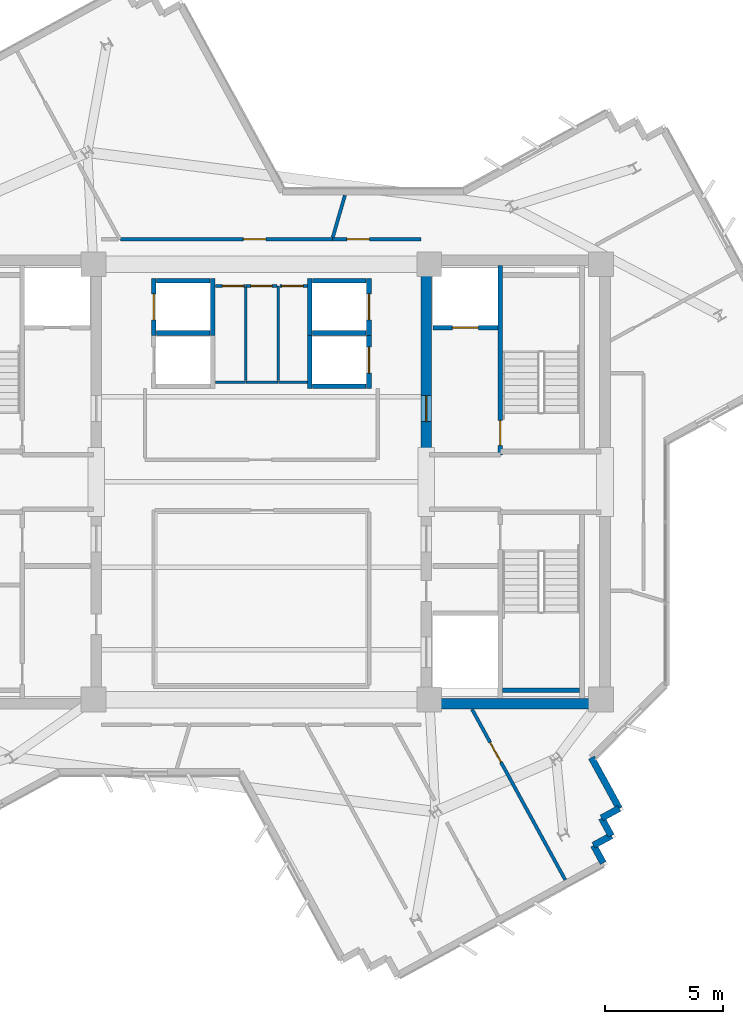
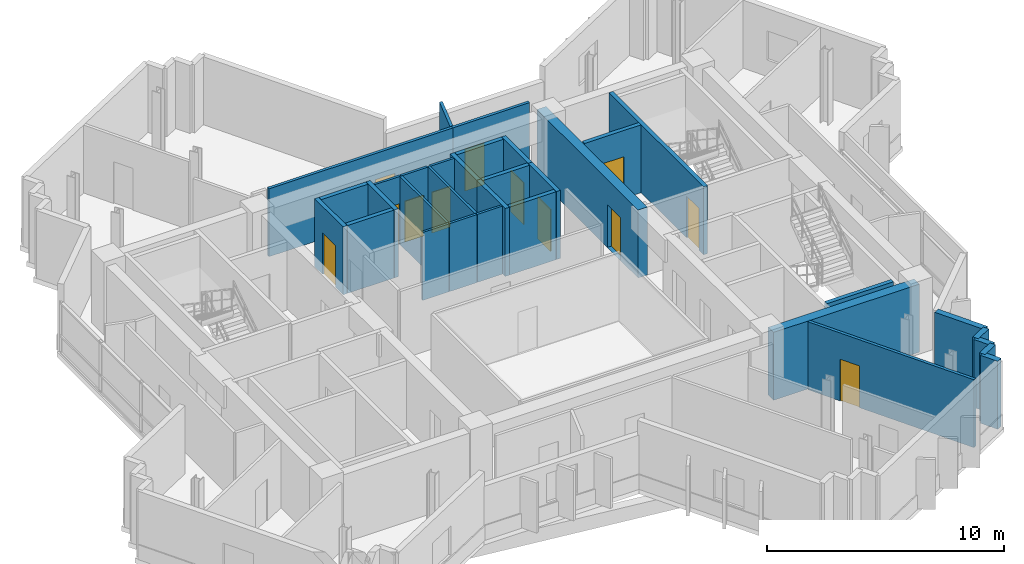
# One storey, part 7 of 13: 33 walls, 12 doors, 12 openings.
"""IFC4 building model written with IfcOpenShell, lengths in metres."""

from ifc_helpers import new_model, si_unit, direction, frame, frame_2d, origin, place, context, subcontext, project, spatial, rectangle, extrude, source, transform, mapped, material, layer, layer_set, type_object, element, fill, save


model = new_model("IFC4")

# Units and contexts
model_context = context("Model", 3, precision=1e-05, world=origin(), true_north=direction((0.0, 1.0)))
body_context = subcontext(model_context, "Body", "Model", "MODEL_VIEW")
ifc_project = project(units=[si_unit("LENGTHUNIT", "METRE"), si_unit("AREAUNIT", "SQUARE_METRE"), si_unit("VOLUMEUNIT", "CUBIC_METRE"), si_unit("PLANEANGLEUNIT", "RADIAN"), si_unit("MASSUNIT", "GRAM", prefix="KILO")], contexts=[model_context])

# Site, building, storey
site_placement = place(None, origin())
site = spatial("IfcSite", under=ifc_project, at=site_placement, CompositionType="ELEMENT")
building_placement = place(site_placement, origin())
building = spatial("IfcBuilding", under=site, at=building_placement, Name="Zahravan Cultural Tower", CompositionType="ELEMENT")
storey_placement = place(building_placement, frame((0.0, 0.0, 250.35009765625)))
storey = spatial("IfcBuildingStorey", under=building, at=storey_placement, Name="L59", CompositionType="ELEMENT", Elevation=250.35009765625)

# Wall, opening, door
ifc_material_1 = material(Name="Concrete C50/60", Category="concrete")
ifc_layer_1 = layer(ifc_material_1, 0.449951171875)
ifc_layer_set_1 = layer_set([ifc_layer_1], Name="Concrete C50/60")
wall_type_1 = type_object("IfcWallType", Name="CW-SHEAR-450-C50", PredefinedType="SHEAR", material=ifc_layer_set_1)
wall_1_placement = place(storey_placement, frame((42.97509765625, 28.050048828125, 0.0), z_axis=(0.0, 0.0, 1.0), x_axis=(0.0, 1.0, 0.0)))
wall_1 = element("IfcWall", 1, at=wall_1_placement, inside=storey, type_object=wall_type_1, Name="L59 Core Shear Wall CW-E-WN-L59", PredefinedType="SHEAR", context=body_context, shape_type="SweptSolid", body=[
    extrude(rectangle(XDim=8.550048828125, YDim=0.449951171875, at=frame_2d((4.27490234375, 0.0))), origin(), (0.0, 0.0, 1.0), 3.5),
])
opening_1_placement = place(wall_1_placement, frame((1.5, 0.0, 0.0)))
opening_1 = element("IfcOpeningElement", 2, at=opening_1_placement, cuts=wall_1, Name="Opening D-L59-07", PredefinedType="OPENING", context=body_context, shape_type="SweptSolid", body=[
    extrude(rectangle(XDim=1.10009765625, YDim=2.199951171875, at=frame_2d((0.550048828125, 1.10009765625))), frame((0.0, 0.23486328125, 0.0), z_axis=(0.0, -1.0, 0.0), x_axis=(1.0, 0.0, 0.0)), (0.0, 0.0, 1.0), 0.469970703125),
])
ifc_material_2 = material(Name="Steel ASTM A572 Grade 50", Category="steel")
door_type_1 = type_object("IfcDoorType", Name="DR-LOBBY-1100", OperationType="NOTDEFINED", PredefinedType="DOOR", material=ifc_material_2)
shared_shape_1 = source(origin(), body_context, "Body", "SweptSolid", [
    extrude(rectangle(XDim=1.10009765625, YDim=2.199951171875, at=frame_2d((0.550048828125, 1.10009765625))), frame((0.0, 0.02490234375, 0.0), z_axis=(0.0, -1.0, 0.0), x_axis=(1.0, 0.0, 0.0)), (0.0, 0.0, 1.0), 0.050048828125),
])
door_1_placement = place(opening_1_placement, origin())
door_1 = element("IfcDoor", 3, at=door_1_placement, inside=storey, type_object=door_type_1, Name="L59 Door D-L59-07", OperationType="SINGLE_SWING_LEFT", OverallHeight=2.199951171875, OverallWidth=1.10009765625, PredefinedType="DOOR", context=body_context, shape_type="MappedRepresentation", body=[
    mapped(shared_shape_1, transform((0.0, 0.0, 0.0), x_axis=(1.0, 0.0, 0.0), y_axis=(0.0, 1.0, 0.0), z_axis=(0.0, 0.0, 1.0), scale=1.0)),
])
fill(opening_1, door_1)

ifc_material_3 = material(Name="Gypsum plasterboard partition")
ifc_layer_2 = layer(ifc_material_3, 0.139892578125)
ifc_layer_set_2 = layer_set([ifc_layer_2], Name="Gypsum plasterboard partition")
wall_type_2 = type_object("IfcWallType", Name="W-PART-140", PredefinedType="PARTITIONING", material=ifc_layer_set_2)
wall_2_placement = place(storey_placement, frame((44.905517578125, 17.39501953125, 0.0), z_axis=(0.0, 0.0, 1.0), x_axis=(0.479449534835, -0.877569452264, 0.0)))
wall_2 = element("IfcWall", 4, at=wall_2_placement, inside=storey, type_object=wall_type_2, Name="L59 Interior Wall 053", PredefinedType="PARTITIONING", context=body_context, shape_type="SweptSolid", body=[
    extrude(rectangle(XDim=8.216064453125, YDim=0.139892578125, at=frame_2d((4.10791015625, 0.0))), origin(), (0.0, 0.0, 1.0), 3.5),
])
opening_2_placement = place(wall_2_placement, frame((1.5986328125, 0.0, 0.0)))
opening_2 = element("IfcOpeningElement", 5, at=opening_2_placement, cuts=wall_2, Name="Opening D-L59-28", PredefinedType="OPENING", context=body_context, shape_type="SweptSolid", body=[
    extrude(rectangle(XDim=0.949951171875, YDim=2.14990234375, at=frame_2d((0.47509765625, 1.074951171875))), frame((0.0, 0.079833984375, 0.0), z_axis=(0.0, -1.0, 0.0), x_axis=(1.0, 0.0, 0.0)), (0.0, 0.0, 1.0), 0.159912109375),
])
ifc_material_4 = material(Name="Anodised bronze-aluminium mullion", Category="aluminium")
door_type_2 = type_object("IfcDoorType", Name="DR-ROOM-950", OperationType="NOTDEFINED", PredefinedType="DOOR", material=ifc_material_4)
shared_shape_2 = source(origin(), body_context, "Body", "SweptSolid", [
    extrude(rectangle(XDim=0.949951171875, YDim=2.14990234375, at=frame_2d((0.47509765625, 1.074951171875))), frame((0.0, 0.02490234375, 0.0), z_axis=(0.0, -1.0, 0.0), x_axis=(1.0, 0.0, 0.0)), (0.0, 0.0, 1.0), 0.050048828125),
])
door_2_placement = place(opening_2_placement, origin())
door_2 = element("IfcDoor", 6, at=door_2_placement, inside=storey, type_object=door_type_2, Name="L59 Door D-L59-28", OperationType="SINGLE_SWING_RIGHT", OverallHeight=2.14990234375, OverallWidth=0.949951171875, PredefinedType="DOOR", context=body_context, shape_type="MappedRepresentation", body=[
    mapped(shared_shape_2, transform((0.0, 0.0, 0.0), x_axis=(1.0, 0.0, 0.0), y_axis=(0.0, 1.0, 0.0), z_axis=(0.0, 0.0, 1.0), scale=1.0)),
])
fill(opening_2, door_2)

wall_3_placement = place(storey_placement, frame((42.74658203125, 37.2587890625, 0.0), z_axis=(0.0, 0.0, 1.0), x_axis=(-0.99999994699, 0.000325605609, 0.0)))
wall_3 = element("IfcWall", 7, at=wall_3_placement, inside=storey, type_object=wall_type_2, Name="L59 Interior Wall 074", PredefinedType="PARTITIONING", context=body_context, shape_type="SweptSolid", body=[
    extrude(rectangle(XDim=3.7490234375, YDim=0.139892578125, at=frame_2d((1.87451171875, 0.0))), origin(), (0.0, 0.0, 1.0), 3.5),
])
opening_3_placement = place(wall_3_placement, frame((2.183349609375, 0.0, 0.0)))
opening_3 = element("IfcOpeningElement", 8, at=opening_3_placement, cuts=wall_3, Name="Opening D-L59-18", PredefinedType="OPENING", context=body_context, shape_type="SweptSolid", body=[
    extrude(rectangle(XDim=0.949951171875, YDim=2.14990234375, at=frame_2d((0.47509765625, 1.074951171875))), frame((0.0, 0.079833984375, 0.0), z_axis=(0.0, -1.0, 0.0), x_axis=(1.0, 0.0, 0.0)), (0.0, 0.0, 1.0), 0.159912109375),
])
door_3_placement = place(opening_3_placement, origin())
door_3 = element("IfcDoor", 9, at=door_3_placement, inside=storey, type_object=door_type_2, Name="L59 Door D-L59-18", OperationType="SINGLE_SWING_RIGHT", OverallHeight=2.14990234375, OverallWidth=0.949951171875, PredefinedType="DOOR", context=body_context, shape_type="MappedRepresentation", body=[
    mapped(shared_shape_2, transform((0.0, 0.0, 0.0), x_axis=(1.0, 0.0, 0.0), y_axis=(0.0, 1.0, 0.0), z_axis=(0.0, 0.0, 1.0), scale=1.0)),
])
fill(opening_3, door_3)

wall_4_placement = place(storey_placement, frame((38.99755859375, 37.260009765625, 0.0), z_axis=(0.0, 0.0, 1.0), x_axis=(-1.0, 0.0, 0.0)))
wall_4 = element("IfcWall", 10, at=wall_4_placement, inside=storey, type_object=wall_type_2, Name="L59 Interior Wall 085", PredefinedType="PARTITIONING", context=body_context, shape_type="SweptSolid", body=[
    extrude(rectangle(XDim=8.956298828125, YDim=0.139892578125, at=frame_2d((4.47802734375, 0.0))), origin(), (0.0, 0.0, 1.0), 3.5),
])
opening_4_placement = place(wall_4_placement, frame((2.80224609375, 0.0, 0.0)))
opening_4 = element("IfcOpeningElement", 11, at=opening_4_placement, cuts=wall_4, Name="Opening D-L59-19", PredefinedType="OPENING", context=body_context, shape_type="SweptSolid", body=[
    extrude(rectangle(XDim=0.949951171875, YDim=2.14990234375, at=frame_2d((0.47509765625, 1.074951171875))), frame((0.0, 0.079833984375, 0.0), z_axis=(0.0, -1.0, 0.0), x_axis=(1.0, 0.0, 0.0)), (0.0, 0.0, 1.0), 0.159912109375),
])
door_4_placement = place(opening_4_placement, origin())
door_4 = element("IfcDoor", 12, at=door_4_placement, inside=storey, type_object=door_type_2, Name="L59 Door D-L59-19", OperationType="SINGLE_SWING_LEFT", OverallHeight=2.14990234375, OverallWidth=0.949951171875, PredefinedType="DOOR", context=body_context, shape_type="MappedRepresentation", body=[
    mapped(shared_shape_2, transform((0.0, 0.0, 0.0), x_axis=(1.0, 0.0, 0.0), y_axis=(0.0, 1.0, 0.0), z_axis=(0.0, 0.0, 1.0), scale=1.0)),
])
fill(opening_4, door_4)

ifc_material_5 = material(Name="Concrete C45/55", Category="concrete")
ifc_layer_3 = layer(ifc_material_5, 0.199951171875)
ifc_layer_set_3 = layer_set([ifc_layer_3], Name="Concrete C45/55")
wall_type_3 = type_object("IfcWallType", Name="W-SHAFT-200", PredefinedType="SOLIDWALL", material=ifc_layer_set_3)
wall_5_placement = place(storey_placement, frame((46.10009765625, 28.14990234375, 0.0), z_axis=(0.0, 0.0, 1.0), x_axis=(0.0, 1.0, 0.0)))
wall_5 = element("IfcWall", 13, at=wall_5_placement, inside=storey, type_object=wall_type_3, Name="L59 Interior Wall 008", PredefinedType="SOLIDWALL", context=body_context, shape_type="SweptSolid", body=[
    extrude(rectangle(XDim=8.0, YDim=0.199951171875, at=frame_2d((4.0, 0.0))), origin(), (0.0, 0.0, 1.0), 3.5),
])
opening_5_placement = place(wall_5_placement, frame((0.39990234375, 0.0, 0.0)))
opening_5 = element("IfcOpeningElement", 14, at=opening_5_placement, cuts=wall_5, Name="Opening D-L59-02", PredefinedType="OPENING", context=body_context, shape_type="SweptSolid", body=[
    extrude(rectangle(XDim=1.050048828125, YDim=2.14990234375, at=frame_2d((0.52490234375, 1.074951171875))), frame((0.0, 0.10986328125, 0.0), z_axis=(0.0, -1.0, 0.0), x_axis=(1.0, 0.0, 0.0)), (0.0, 0.0, 1.0), 0.219970703125),
])
door_type_3 = type_object("IfcDoorType", Name="DR-STAIR-1050", OperationType="NOTDEFINED", PredefinedType="DOOR", material=ifc_material_2)
shared_shape_3 = source(origin(), body_context, "Body", "SweptSolid", [
    extrude(rectangle(XDim=1.050048828125, YDim=2.14990234375, at=frame_2d((0.52490234375, 1.074951171875))), frame((0.0, 0.02490234375, 0.0), z_axis=(0.0, -1.0, 0.0), x_axis=(1.0, 0.0, 0.0)), (0.0, 0.0, 1.0), 0.050048828125),
])
door_5_placement = place(opening_5_placement, origin())
door_5 = element("IfcDoor", 15, at=door_5_placement, inside=storey, type_object=door_type_3, Name="L59 Door D-L59-02", OperationType="SINGLE_SWING_RIGHT", OverallHeight=2.14990234375, OverallWidth=1.050048828125, PredefinedType="DOOR", context=body_context, shape_type="MappedRepresentation", body=[
    mapped(shared_shape_3, transform((0.0, 0.0, 0.0), x_axis=(1.0, 0.0, 0.0), y_axis=(0.0, 1.0, 0.0), z_axis=(0.0, 0.0, 1.0), scale=1.0)),
])
fill(opening_5, door_5)

wall_6_placement = place(storey_placement, frame((43.25, 33.52001953125, 0.0), z_axis=(0.0, 0.0, 1.0), x_axis=(1.0, 0.0, 0.0)))
wall_6 = element("IfcWall", 16, at=wall_6_placement, inside=storey, type_object=wall_type_3, Name="L59 Interior Wall 023", PredefinedType="SOLIDWALL", context=body_context, shape_type="SweptSolid", body=[
    extrude(rectangle(XDim=2.75, YDim=0.199951171875, at=frame_2d((1.375, 0.0))), origin(), (0.0, 0.0, 1.0), 3.5),
])
opening_6_placement = place(wall_6_placement, frame((0.820068359375, 0.0, 0.0)))
opening_6 = element("IfcOpeningElement", 17, at=opening_6_placement, cuts=wall_6, Name="Opening LD-L59-02", PredefinedType="OPENING", context=body_context, shape_type="SweptSolid", body=[
    extrude(rectangle(XDim=1.10009765625, YDim=2.14990234375, at=frame_2d((0.550048828125, 1.074951171875))), frame((0.0, 0.10986328125, 0.0), z_axis=(0.0, -1.0, 0.0), x_axis=(1.0, 0.0, 0.0)), (0.0, 0.0, 1.0), 0.219970703125),
])
door_type_4 = type_object("IfcDoorType", Name="DR-LIFT-1100", OperationType="DOUBLE_DOOR_SLIDING", PredefinedType="DOOR", material=ifc_material_2)
shared_shape_4 = source(origin(), body_context, "Body", "SweptSolid", [
    extrude(rectangle(XDim=1.10009765625, YDim=2.14990234375, at=frame_2d((0.550048828125, 1.074951171875))), frame((0.0, 0.02490234375, 0.0), z_axis=(0.0, -1.0, 0.0), x_axis=(1.0, 0.0, 0.0)), (0.0, 0.0, 1.0), 0.050048828125),
])
door_6_placement = place(opening_6_placement, origin())
door_6 = element("IfcDoor", 18, at=door_6_placement, inside=storey, type_object=door_type_4, Name="L59 Door LD-L59-02", OperationType="DOUBLE_DOOR_SLIDING", OverallHeight=2.14990234375, OverallWidth=1.10009765625, PredefinedType="DOOR", context=body_context, shape_type="MappedRepresentation", body=[
    mapped(shared_shape_4, transform((0.0, 0.0, 0.0), x_axis=(1.0, 0.0, 0.0), y_axis=(0.0, 1.0, 0.0), z_axis=(0.0, 0.0, 1.0), scale=1.0)),
])
fill(opening_6, door_6)

wall_7_placement = place(storey_placement, frame((31.449951171875, 33.199951171875, 0.0), z_axis=(0.0, 0.0, 1.0), x_axis=(0.0, 1.0, 0.0)))
wall_7 = element("IfcWall", 19, at=wall_7_placement, inside=storey, type_object=wall_type_3, Name="L59 Interior Wall 027", PredefinedType="SOLIDWALL", context=body_context, shape_type="SweptSolid", body=[
    extrude(rectangle(XDim=2.400146484375, YDim=0.199951171875, at=frame_2d((1.2001953125, 0.0))), origin(), (0.0, 0.0, 1.0), 3.5),
])
opening_7_placement = place(wall_7_placement, frame((0.64990234375, 0.0, 0.0)))
opening_7 = element("IfcOpeningElement", 20, at=opening_7_placement, cuts=wall_7, Name="Opening LD-L59-04", PredefinedType="OPENING", context=body_context, shape_type="SweptSolid", body=[
    extrude(rectangle(XDim=1.10009765625, YDim=2.14990234375, at=frame_2d((0.550048828125, 1.074951171875))), frame((0.0, 0.10986328125, 0.0), z_axis=(0.0, -1.0, 0.0), x_axis=(1.0, 0.0, 0.0)), (0.0, 0.0, 1.0), 0.219970703125),
])
door_7_placement = place(opening_7_placement, origin())
door_7 = element("IfcDoor", 21, at=door_7_placement, inside=storey, type_object=door_type_4, Name="L59 Door LD-L59-04", OperationType="DOUBLE_DOOR_SLIDING", OverallHeight=2.14990234375, OverallWidth=1.10009765625, PredefinedType="DOOR", context=body_context, shape_type="MappedRepresentation", body=[
    mapped(shared_shape_4, transform((0.0, 0.0, 0.0), x_axis=(1.0, 0.0, 0.0), y_axis=(0.0, 1.0, 0.0), z_axis=(0.0, 0.0, 1.0), scale=1.0)),
])
fill(opening_7, door_7)

wall_8_placement = place(storey_placement, frame((40.550048828125, 33.199951171875, 0.0), z_axis=(0.0, 0.0, 1.0), x_axis=(0.0, 1.0, 0.0)))
wall_8 = element("IfcWall", 22, at=wall_8_placement, inside=storey, type_object=wall_type_3, Name="L59 Interior Wall 035", PredefinedType="SOLIDWALL", context=body_context, shape_type="SweptSolid", body=[
    extrude(rectangle(XDim=2.400146484375, YDim=0.199951171875, at=frame_2d((1.2001953125, 0.0))), origin(), (0.0, 0.0, 1.0), 3.5),
])
opening_8_placement = place(wall_8_placement, frame((0.64990234375, 0.0, 0.0)))
opening_8 = element("IfcOpeningElement", 23, at=opening_8_placement, cuts=wall_8, Name="Opening LD-L59-06", PredefinedType="OPENING", context=body_context, shape_type="SweptSolid", body=[
    extrude(rectangle(XDim=1.10009765625, YDim=2.14990234375, at=frame_2d((0.550048828125, 1.074951171875))), frame((0.0, 0.10986328125, 0.0), z_axis=(0.0, -1.0, 0.0), x_axis=(1.0, 0.0, 0.0)), (0.0, 0.0, 1.0), 0.219970703125),
])
door_8_placement = place(opening_8_placement, origin())
door_8 = element("IfcDoor", 24, at=door_8_placement, inside=storey, type_object=door_type_4, Name="L59 Door LD-L59-06", OperationType="DOUBLE_DOOR_SLIDING", OverallHeight=2.14990234375, OverallWidth=1.10009765625, PredefinedType="DOOR", context=body_context, shape_type="MappedRepresentation", body=[
    mapped(shared_shape_4, transform((0.0, 0.0, 0.0), x_axis=(1.0, 0.0, 0.0), y_axis=(0.0, 1.0, 0.0), z_axis=(0.0, 0.0, 1.0), scale=1.0)),
])
fill(opening_8, door_8)

wall_9_placement = place(storey_placement, frame((40.550048828125, 30.949951171875, 0.0), z_axis=(0.0, 0.0, 1.0), x_axis=(0.0, 1.0, 0.0)))
wall_9 = element("IfcWall", 25, at=wall_9_placement, inside=storey, type_object=wall_type_3, Name="L59 Interior Wall 039", PredefinedType="SOLIDWALL", context=body_context, shape_type="SweptSolid", body=[
    extrude(rectangle(XDim=2.400146484375, YDim=0.199951171875, at=frame_2d((1.2001953125, 0.0))), origin(), (0.0, 0.0, 1.0), 3.5),
])
opening_9_placement = place(wall_9_placement, frame((0.64990234375, 0.0, 0.0)))
opening_9 = element("IfcOpeningElement", 26, at=opening_9_placement, cuts=wall_9, Name="Opening LD-L59-07", PredefinedType="OPENING", context=body_context, shape_type="SweptSolid", body=[
    extrude(rectangle(XDim=1.10009765625, YDim=2.14990234375, at=frame_2d((0.550048828125, 1.074951171875))), frame((0.0, 0.10986328125, 0.0), z_axis=(0.0, -1.0, 0.0), x_axis=(1.0, 0.0, 0.0)), (0.0, 0.0, 1.0), 0.219970703125),
])
door_9_placement = place(opening_9_placement, origin())
door_9 = element("IfcDoor", 27, at=door_9_placement, inside=storey, type_object=door_type_4, Name="L59 Door LD-L59-07", OperationType="DOUBLE_DOOR_SLIDING", OverallHeight=2.14990234375, OverallWidth=1.10009765625, PredefinedType="DOOR", context=body_context, shape_type="MappedRepresentation", body=[
    mapped(shared_shape_4, transform((0.0, 0.0, 0.0), x_axis=(1.0, 0.0, 0.0), y_axis=(0.0, 1.0, 0.0), z_axis=(0.0, 0.0, 1.0), scale=1.0)),
])
fill(opening_9, door_9)

ifc_layer_4 = layer(ifc_material_3, 0.114990234375)
ifc_layer_set_4 = layer_set([ifc_layer_4], Name="Gypsum plasterboard partition")
wall_type_4 = type_object("IfcWallType", Name="W-WC-115", PredefinedType="PARTITIONING", material=ifc_layer_set_4)
wall_10_placement = place(storey_placement, frame((36.782470703125, 35.280029296875, 0.0), z_axis=(0.0, 0.0, 1.0), x_axis=(1.0, 0.0, 0.0)))
wall_10 = element("IfcWall", 28, at=wall_10_placement, inside=storey, type_object=wall_type_4, Name="L59 Interior Wall 043", PredefinedType="PARTITIONING", context=body_context, shape_type="SweptSolid", body=[
    extrude(rectangle(XDim=1.16259765625, YDim=0.114990234375, at=frame_2d((0.581298828125, 0.0))), origin(), (0.0, 0.0, 1.0), 3.5),
])
opening_10_placement = place(wall_10_placement, frame((0.0888671875, 0.0, 0.0)))
opening_10 = element("IfcOpeningElement", 29, at=opening_10_placement, cuts=wall_10, Name="Opening D-L59-15", PredefinedType="OPENING", context=body_context, shape_type="SweptSolid", body=[
    extrude(rectangle(XDim=0.89990234375, YDim=2.10009765625, at=frame_2d((0.449951171875, 1.050048828125))), frame((0.0, 0.0673828125, 0.0), z_axis=(0.0, -1.0, 0.0), x_axis=(1.0, 0.0, 0.0)), (0.0, 0.0, 1.0), 0.135009765625),
])
door_type_5 = type_object("IfcDoorType", Name="DR-WC-900", OperationType="NOTDEFINED", PredefinedType="DOOR", material=ifc_material_4)
shared_shape_5 = source(origin(), body_context, "Body", "SweptSolid", [
    extrude(rectangle(XDim=0.89990234375, YDim=2.10009765625, at=frame_2d((0.449951171875, 1.050048828125))), frame((0.0, 0.02490234375, 0.0), z_axis=(0.0, -1.0, 0.0), x_axis=(1.0, 0.0, 0.0)), (0.0, 0.0, 1.0), 0.050048828125),
])
door_10_placement = place(opening_10_placement, origin())
door_10 = element("IfcDoor", 30, at=door_10_placement, inside=storey, type_object=door_type_5, Name="L59 Door D-L59-15", OperationType="SINGLE_SWING_LEFT", OverallHeight=2.10009765625, OverallWidth=0.89990234375, PredefinedType="DOOR", context=body_context, shape_type="MappedRepresentation", body=[
    mapped(shared_shape_5, transform((0.0, 0.0, 0.0), x_axis=(1.0, 0.0, 0.0), y_axis=(0.0, 1.0, 0.0), z_axis=(0.0, 0.0, 1.0), scale=1.0)),
])
fill(opening_10, door_10)

wall_11_placement = place(storey_placement, frame((34.054931640625, 35.280029296875, 0.0), z_axis=(0.0, 0.0, 1.0), x_axis=(1.0, 0.0, 0.0)))
wall_11 = element("IfcWall", 31, at=wall_11_placement, inside=storey, type_object=wall_type_4, Name="L59 Interior Wall 045", PredefinedType="PARTITIONING", context=body_context, shape_type="SweptSolid", body=[
    extrude(rectangle(XDim=1.28515625, YDim=0.114990234375, at=frame_2d((0.642578125, 0.0))), origin(), (0.0, 0.0, 1.0), 3.5),
])
opening_11_placement = place(wall_11_placement, frame((0.30029296875, 0.0, 0.0)))
opening_11 = element("IfcOpeningElement", 32, at=opening_11_placement, cuts=wall_11, Name="Opening D-L59-13", PredefinedType="OPENING", context=body_context, shape_type="SweptSolid", body=[
    extrude(rectangle(XDim=0.89990234375, YDim=2.10009765625, at=frame_2d((0.449951171875, 1.050048828125))), frame((0.0, 0.0673828125, 0.0), z_axis=(0.0, -1.0, 0.0), x_axis=(1.0, 0.0, 0.0)), (0.0, 0.0, 1.0), 0.135009765625),
])
door_11_placement = place(opening_11_placement, origin())
door_11 = element("IfcDoor", 33, at=door_11_placement, inside=storey, type_object=door_type_5, Name="L59 Door D-L59-13", OperationType="SINGLE_SWING_LEFT", OverallHeight=2.10009765625, OverallWidth=0.89990234375, PredefinedType="DOOR", context=body_context, shape_type="MappedRepresentation", body=[
    mapped(shared_shape_5, transform((0.0, 0.0, 0.0), x_axis=(1.0, 0.0, 0.0), y_axis=(0.0, 1.0, 0.0), z_axis=(0.0, 0.0, 1.0), scale=1.0)),
])
fill(opening_11, door_11)

wall_12_placement = place(storey_placement, frame((35.360107421875, 35.280029296875, 0.0), z_axis=(0.0, 0.0, 1.0), x_axis=(1.0, 0.0, 0.0)))
wall_12 = element("IfcWall", 34, at=wall_12_placement, inside=storey, type_object=wall_type_4, Name="L59 Interior Wall 048", PredefinedType="PARTITIONING", context=body_context, shape_type="SweptSolid", body=[
    extrude(rectangle(XDim=1.29736328125, YDim=0.114990234375, at=frame_2d((0.648681640625, 0.0))), origin(), (0.0, 0.0, 1.0), 3.5),
])
opening_12_placement = place(wall_12_placement, frame((0.19873046875, 0.0, 0.0)))
opening_12 = element("IfcOpeningElement", 35, at=opening_12_placement, cuts=wall_12, Name="Opening D-L59-14", PredefinedType="OPENING", context=body_context, shape_type="SweptSolid", body=[
    extrude(rectangle(XDim=0.89990234375, YDim=2.10009765625, at=frame_2d((0.449951171875, 1.050048828125))), frame((0.0, 0.0673828125, 0.0), z_axis=(0.0, -1.0, 0.0), x_axis=(1.0, 0.0, 0.0)), (0.0, 0.0, 1.0), 0.135009765625),
])
door_12_placement = place(opening_12_placement, origin())
door_12 = element("IfcDoor", 36, at=door_12_placement, inside=storey, type_object=door_type_5, Name="L59 Door D-L59-14", OperationType="SINGLE_SWING_RIGHT", OverallHeight=2.10009765625, OverallWidth=0.89990234375, PredefinedType="DOOR", context=body_context, shape_type="MappedRepresentation", body=[
    mapped(shared_shape_5, transform((0.0, 0.0, 0.0), x_axis=(1.0, 0.0, 0.0), y_axis=(0.0, 1.0, 0.0), z_axis=(0.0, 0.0, 1.0), scale=1.0)),
])
fill(opening_12, door_12)

# Walls
shared_shape_6 = source(origin(), body_context, "Body", "SweptSolid", [
    extrude(rectangle(XDim=7.10009765625, YDim=0.449951171875, at=frame_2d((3.550048828125, 0.0))), origin(), (0.0, 0.0, 1.0), 3.5),
])
wall_13_placement = place(storey_placement, frame((43.199951171875, 17.625, 0.0), z_axis=(0.0, 0.0, 1.0), x_axis=(1.0, 0.0, 0.0)))
element("IfcWall", 37, at=wall_13_placement, inside=storey, type_object=wall_type_1, Name="L59 Core Shear Wall CW-E-S-L59", PredefinedType="SHEAR", context=body_context, shape_type="MappedRepresentation", body=[
    mapped(shared_shape_6, transform((0.0, 0.0, 0.0), x_axis=(1.0, 0.0, 0.0), y_axis=(0.0, 1.0, 0.0), z_axis=(0.0, 0.0, 1.0), scale=1.0)),
])
ifc_material_6 = material(Name="Precast concrete C40/50", Category="concrete")
ifc_layer_5 = layer(ifc_material_6, 0.280029296875)
ifc_layer_set_5 = layer_set([ifc_layer_5], Name="Precast concrete C40/50")
wall_type_5 = type_object("IfcWallType", Name="EW-TC-280", PredefinedType="SOLIDWALL", material=ifc_layer_set_5)
shared_shape_7 = source(origin(), body_context, "Body", "SweptSolid", [
    extrude(rectangle(XDim=0.85009765625, YDim=0.280029296875, at=frame_2d((0.425048828125, 0.0))), origin(), (0.0, 0.0, 1.0), 3.5),
])
for number, where, z_axis, x_axis, name in (
    (38, (50.380859375, 12.7958984375, 0.0), (0.0, 0.0, 1.0), (0.479656876283, -0.877456141943, 0.0), "L59 Exterior Masonry Frame Wall 15"),
    (39, (50.78857421875, 12.050048828125, 0.0), (0.0, 0.0, 1.0), (-0.877643019177, -0.479314855696, 0.0), "L59 Exterior Masonry Frame Wall 16"),
):
    element("IfcWall", number, at=place(storey_placement, frame(where, z_axis=z_axis, x_axis=x_axis)), inside=storey, type_object=wall_type_5, Name=name, PredefinedType="SOLIDWALL", context=body_context, shape_type="MappedRepresentation", body=[
        mapped(shared_shape_7, transform((0.0, 0.0, 0.0), x_axis=(1.0, 0.0, 0.0), y_axis=(0.0, 1.0, 0.0), z_axis=(0.0, 0.0, 1.0), scale=1.0)),
    ])
shared_shape_8 = source(origin(), body_context, "Body", "SweptSolid", [
    extrude(rectangle(XDim=0.850341796875, YDim=0.280029296875, at=frame_2d((0.42529296875, 0.0))), origin(), (0.0, 0.0, 1.0), 3.5),
])
for number, where, z_axis, x_axis, name in (
    (40, (51.126953125, 13.20361328125, 0.0), (0.0, 0.0, 1.0), (-0.87752219781, -0.479536017782, 0.0), "L59 Exterior Masonry Frame Wall 14"),
    (41, (50.04248046875, 11.642578125, 0.0), (0.0, 0.0, 1.0), (0.479536017782, -0.87752219781, 0.0), "L59 Exterior Masonry Frame Wall 17"),
):
    element("IfcWall", number, at=place(storey_placement, frame(where, z_axis=z_axis, x_axis=x_axis)), inside=storey, type_object=wall_type_5, Name=name, PredefinedType="SOLIDWALL", context=body_context, shape_type="MappedRepresentation", body=[
        mapped(shared_shape_8, transform((0.0, 0.0, 0.0), x_axis=(1.0, 0.0, 0.0), y_axis=(0.0, 1.0, 0.0), z_axis=(0.0, 0.0, 1.0), scale=1.0)),
    ])
shared_shape_9 = source(origin(), body_context, "Body", "SweptSolid", [
    extrude(rectangle(XDim=2.447509765625, YDim=0.280029296875, at=frame_2d((1.2236328125, 0.0))), origin(), (0.0, 0.0, 1.0), 3.5),
])
wall_14_placement = place(storey_placement, frame((49.953369140625, 15.351318359375, 0.0), z_axis=(0.0, 0.0, 1.0), x_axis=(0.47951595933, -0.877533158774, 0.0)))
element("IfcWall", 42, at=wall_14_placement, inside=storey, type_object=wall_type_5, Name="L59 Exterior Masonry Frame Wall 13", PredefinedType="SOLIDWALL", context=body_context, shape_type="MappedRepresentation", body=[
    mapped(shared_shape_9, transform((0.0, 0.0, 0.0), x_axis=(1.0, 0.0, 0.0), y_axis=(0.0, 1.0, 0.0), z_axis=(0.0, 0.0, 1.0), scale=1.0)),
])
shared_shape_10 = source(origin(), body_context, "Body", "SweptSolid", [
    extrude(rectangle(XDim=3.25, YDim=0.199951171875, at=frame_2d((1.625, 0.0))), origin(), (0.0, 0.0, 1.0), 3.5),
])
wall_15_placement = place(storey_placement, frame((46.199951171875, 18.199951171875, 0.0), z_axis=(0.0, 0.0, 1.0), x_axis=(1.0, 0.0, 0.0)))
element("IfcWall", 43, at=wall_15_placement, inside=storey, type_object=wall_type_3, Name="L59 Interior Wall 020", PredefinedType="SOLIDWALL", context=body_context, shape_type="MappedRepresentation", body=[
    mapped(shared_shape_10, transform((0.0, 0.0, 0.0), x_axis=(1.0, 0.0, 0.0), y_axis=(0.0, 1.0, 0.0), z_axis=(0.0, 0.0, 1.0), scale=1.0)),
])
shared_shape_11 = source(origin(), body_context, "Body", "SweptSolid", [
    extrude(rectangle(XDim=2.400146484375, YDim=0.199951171875, at=frame_2d((1.2001953125, 0.0))), origin(), (0.0, 0.0, 1.0), 3.5),
])
for number, where, z_axis, x_axis, name in (
    (44, (33.949951171875, 33.199951171875, 0.0), (0.0, 0.0, 1.0), (0.0, 1.0, 0.0), "L59 Interior Wall 028"),
    (45, (38.050048828125, 33.199951171875, 0.0), (0.0, 0.0, 1.0), (0.0, 1.0, 0.0), "L59 Interior Wall 034"),
    (46, (38.050048828125, 30.949951171875, 0.0), (0.0, 0.0, 1.0), (0.0, 1.0, 0.0), "L59 Interior Wall 038"),
):
    element("IfcWall", number, at=place(storey_placement, frame(where, z_axis=z_axis, x_axis=x_axis)), inside=storey, type_object=wall_type_3, Name=name, PredefinedType="SOLIDWALL", context=body_context, shape_type="MappedRepresentation", body=[
        mapped(shared_shape_11, transform((0.0, 0.0, 0.0), x_axis=(1.0, 0.0, 0.0), y_axis=(0.0, 1.0, 0.0), z_axis=(0.0, 0.0, 1.0), scale=1.0)),
    ])
shared_shape_12 = source(origin(), body_context, "Body", "SweptSolid", [
    extrude(rectangle(XDim=2.260009765625, YDim=0.199951171875, at=frame_2d((1.1298828125, 0.0))), origin(), (0.0, 0.0, 1.0), 3.5),
])
for number, where, z_axis, x_axis, name in (
    (47, (31.570068359375, 33.300048828125, 0.0), (0.0, 0.0, 1.0), (1.0, 0.0, 0.0), "L59 Interior Wall 029"),
    (48, (31.570068359375, 35.5, 0.0), (0.0, 0.0, 1.0), (1.0, 0.0, 0.0), "L59 Interior Wall 030"),
    (49, (38.169921875, 33.300048828125, 0.0), (0.0, 0.0, 1.0), (1.0, 0.0, 0.0), "L59 Interior Wall 036"),
    (50, (38.169921875, 35.5, 0.0), (0.0, 0.0, 1.0), (1.0, 0.0, 0.0), "L59 Interior Wall 037"),
    (51, (38.169921875, 31.050048828125, 0.0), (0.0, 0.0, 1.0), (1.0, 0.0, 0.0), "L59 Interior Wall 040"),
):
    element("IfcWall", number, at=place(storey_placement, frame(where, z_axis=z_axis, x_axis=x_axis)), inside=storey, type_object=wall_type_3, Name=name, PredefinedType="SOLIDWALL", context=body_context, shape_type="MappedRepresentation", body=[
        mapped(shared_shape_12, transform((0.0, 0.0, 0.0), x_axis=(1.0, 0.0, 0.0), y_axis=(0.0, 1.0, 0.0), z_axis=(0.0, 0.0, 1.0), scale=1.0)),
    ])
shared_shape_13 = source(origin(), body_context, "Body", "SweptSolid", [
    extrude(rectangle(XDim=1.22509765625, YDim=0.114990234375, at=frame_2d((0.612548828125, 0.0))), origin(), (0.0, 0.0, 1.0), 3.5),
])
wall_16_placement = place(storey_placement, frame((37.945068359375, 31.219970703125, 0.0), z_axis=(0.0, 0.0, 1.0), x_axis=(-1.0, 0.0, 0.0)))
element("IfcWall", 52, at=wall_16_placement, inside=storey, type_object=wall_type_4, Name="L59 Interior Wall 041", PredefinedType="PARTITIONING", context=body_context, shape_type="MappedRepresentation", body=[
    mapped(shared_shape_13, transform((0.0, 0.0, 0.0), x_axis=(1.0, 0.0, 0.0), y_axis=(0.0, 1.0, 0.0), z_axis=(0.0, 0.0, 1.0), scale=1.0)),
])
shared_shape_14 = source(origin(), body_context, "Body", "SweptSolid", [
    extrude(rectangle(XDim=3.99755859375, YDim=0.114990234375, at=frame_2d((1.998779296875, 0.0))), origin(), (0.0, 0.0, 1.0), 3.5),
])
wall_17_placement = place(storey_placement, frame((36.719970703125, 31.282470703125, 0.0), z_axis=(0.0, 0.0, 1.0), x_axis=(0.0, 1.0, 0.0)))
element("IfcWall", 53, at=wall_17_placement, inside=storey, type_object=wall_type_4, Name="L59 Interior Wall 042", PredefinedType="PARTITIONING", context=body_context, shape_type="MappedRepresentation", body=[
    mapped(shared_shape_14, transform((0.0, 0.0, 0.0), x_axis=(1.0, 0.0, 0.0), y_axis=(0.0, 1.0, 0.0), z_axis=(0.0, 0.0, 1.0), scale=1.0)),
])
shared_shape_15 = source(origin(), body_context, "Body", "SweptSolid", [
    extrude(rectangle(XDim=1.28515625, YDim=0.114990234375, at=frame_2d((0.642578125, 0.0))), origin(), (0.0, 0.0, 1.0), 3.5),
])
wall_18_placement = place(storey_placement, frame((35.340087890625, 31.219970703125, 0.0), z_axis=(0.0, 0.0, 1.0), x_axis=(-1.0, 0.0, 0.0)))
element("IfcWall", 54, at=wall_18_placement, inside=storey, type_object=wall_type_4, Name="L59 Interior Wall 044", PredefinedType="PARTITIONING", context=body_context, shape_type="MappedRepresentation", body=[
    mapped(shared_shape_15, transform((0.0, 0.0, 0.0), x_axis=(1.0, 0.0, 0.0), y_axis=(0.0, 1.0, 0.0), z_axis=(0.0, 0.0, 1.0), scale=1.0)),
])
shared_shape_16 = source(origin(), body_context, "Body", "SweptSolid", [
    extrude(rectangle(XDim=3.93505859375, YDim=0.114990234375, at=frame_2d((1.967529296875, 0.0))), origin(), (0.0, 0.0, 1.0), 3.5),
])
wall_19_placement = place(storey_placement, frame((35.340087890625, 35.217529296875, 0.0), z_axis=(0.0, 0.0, 1.0), x_axis=(0.0, -1.0, 0.0)))
element("IfcWall", 55, at=wall_19_placement, inside=storey, type_object=wall_type_4, Name="L59 Interior Wall 046", PredefinedType="PARTITIONING", context=body_context, shape_type="MappedRepresentation", body=[
    mapped(shared_shape_16, transform((0.0, 0.0, 0.0), x_axis=(1.0, 0.0, 0.0), y_axis=(0.0, 1.0, 0.0), z_axis=(0.0, 0.0, 1.0), scale=1.0)),
])
shared_shape_17 = source(origin(), body_context, "Body", "SweptSolid", [
    extrude(rectangle(XDim=1.33984375, YDim=0.114990234375, at=frame_2d((0.669921875, 0.0))), origin(), (0.0, 0.0, 1.0), 3.5),
])
wall_20_placement = place(storey_placement, frame((36.699951171875, 31.219970703125, 0.0), z_axis=(0.0, 0.0, 1.0), x_axis=(-1.0, 0.0, 0.0)))
element("IfcWall", 56, at=wall_20_placement, inside=storey, type_object=wall_type_4, Name="L59 Interior Wall 047", PredefinedType="PARTITIONING", context=body_context, shape_type="MappedRepresentation", body=[
    mapped(shared_shape_17, transform((0.0, 0.0, 0.0), x_axis=(1.0, 0.0, 0.0), y_axis=(0.0, 1.0, 0.0), z_axis=(0.0, 0.0, 1.0), scale=1.0)),
])
shared_shape_18 = source(origin(), body_context, "Body", "SweptSolid", [
    extrude(rectangle(XDim=1.8525390625, YDim=0.139892578125, at=frame_2d((0.92626953125, 0.0))), origin(), (0.0, 0.0, 1.0), 3.5),
])
wall_21_placement = place(storey_placement, frame((39.019287109375, 37.3349609375, 0.0), z_axis=(0.0, 0.0, 1.0), x_axis=(0.276896245691, 0.960899822626, 0.0)))
element("IfcWall", 57, at=wall_21_placement, inside=storey, type_object=wall_type_2, Name="L59 Interior Wall 075", PredefinedType="PARTITIONING", context=body_context, shape_type="MappedRepresentation", body=[
    mapped(shared_shape_18, transform((0.0, 0.0, 0.0), x_axis=(1.0, 0.0, 0.0), y_axis=(0.0, 1.0, 0.0), z_axis=(0.0, 0.0, 1.0), scale=1.0)),
])

save(model, "model.ifc")
